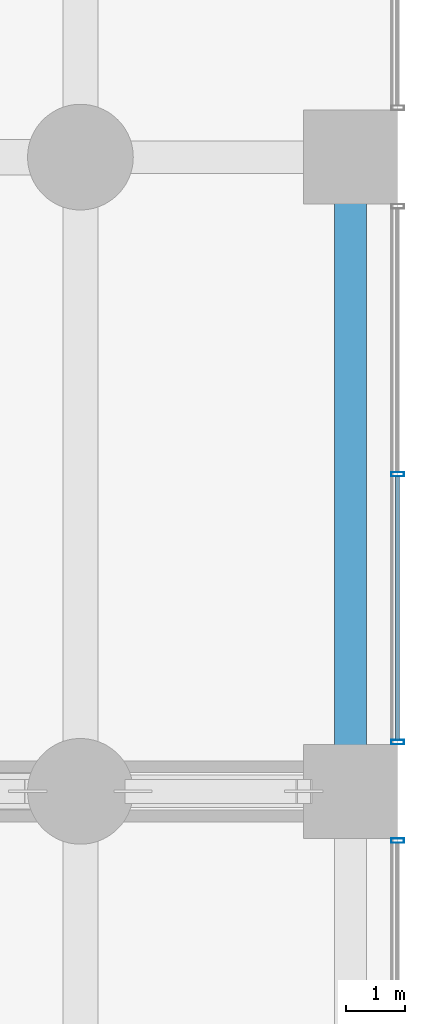
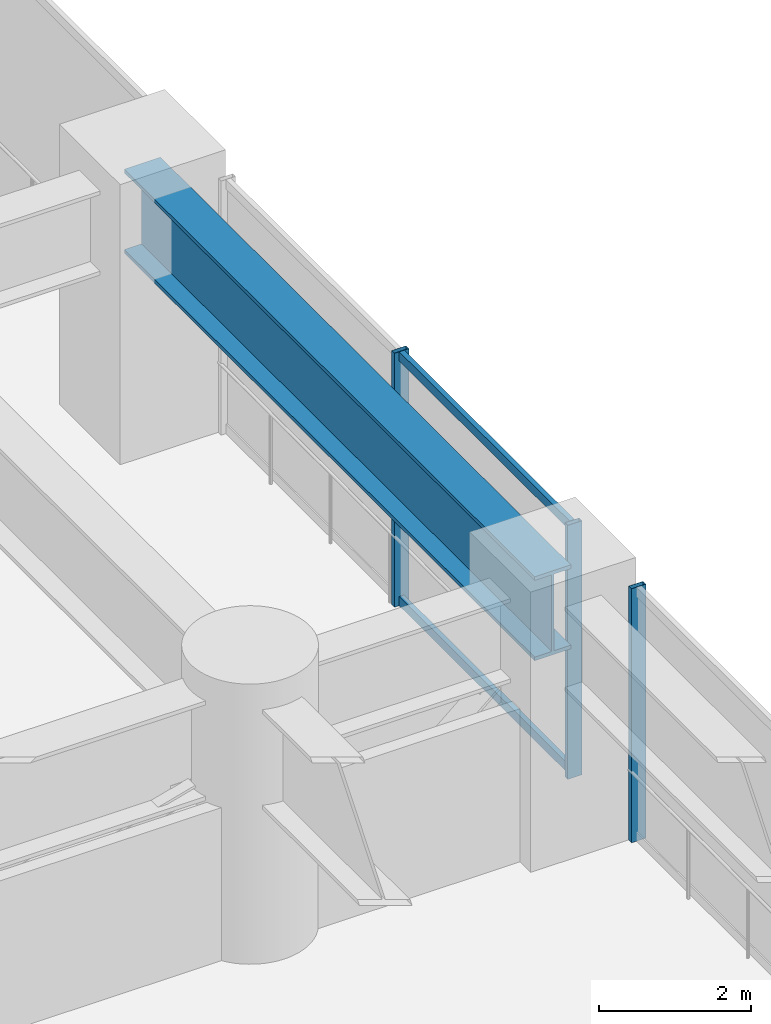
# One storey, part 22 of 37: 5 members, 1 beam, 2 elements without a shape of their own.
"""IFC4 building model written with IfcOpenShell, lengths in metres."""

from ifc_helpers import new_model, si_unit, direction, frame, origin, origin_2d, place, context, subcontext, project, spatial, hollow_rectangle, i_section, extrude, material, layer, layer_set, material_profile, profile_set, type_object, element, aggregate, save


model = new_model("IFC4")

# Units and contexts
model_context = context("Model", 3, precision=1e-05, world=origin(), true_north=direction((0.0, 1.0)))
body_context = subcontext(model_context, "Body", "Model", "MODEL_VIEW")
ifc_project = project(units=[si_unit("LENGTHUNIT", "METRE"), si_unit("AREAUNIT", "SQUARE_METRE"), si_unit("VOLUMEUNIT", "CUBIC_METRE"), si_unit("PLANEANGLEUNIT", "RADIAN"), si_unit("MASSUNIT", "GRAM", prefix="KILO")], contexts=[model_context])

# Site, building, storey
site_placement = place(None, origin())
site = spatial("IfcSite", under=ifc_project, at=site_placement, CompositionType="ELEMENT")
building_placement = place(site_placement, origin())
building = spatial("IfcBuilding", under=site, at=building_placement, Name="Surkhivell Harbour Commons", CompositionType="ELEMENT")
storey_placement = place(building_placement, frame((0.0, 0.0, 18.0)))
storey = spatial("IfcBuildingStorey", under=building, at=storey_placement, Name="L04", CompositionType="ELEMENT", Elevation=18.0)

# Beam
ifc_material_1 = material(Name="Steel S460", Category="steel")
ifc_material_profile_1 = material_profile(ifc_material_1, i_section(OverallWidth=0.550048828125, OverallDepth=1.35009765625, WebThickness=0.031982421875, FlangeThickness=0.06005859375, at=origin_2d()), Name="WPG1350x550x248")
ifc_profile_set_1 = profile_set([ifc_material_profile_1], Name="Steel S460")
beam_type = type_object("IfcBeamType", Name="BM-TRF-1350", PredefinedType="BEAM", material=ifc_profile_set_1)
beam_placement = place(storey_placement, frame((37.0, 0.0, 3.405029296875), z_axis=(0.0, 1.0, 0.0), x_axis=(-1.0, 0.0, 0.0)))
element("IfcBeam", 1, at=beam_placement, inside=storey, type_object=beam_type, Name="L04 Transfer Girder (37.0,0.0)", PredefinedType="BEAM", context=body_context, shape_type="SweptSolid", body=[
    extrude(i_section(OverallWidth=0.550048828125, OverallDepth=1.35009765625, WebThickness=0.031982421875, FlangeThickness=0.06005859375, at=origin_2d()), origin(), (0.0, 0.0, 1.0), 10.800048828125),
])

# Curtain wall, member
ifc_material_2 = material(Name="Anodised pale-metal aluminium and insulated glazing", Category="aluminium")
ifc_layer = layer(ifc_material_2, 0.239990234375)
ifc_layer_set = layer_set([ifc_layer], Name="Anodised pale-metal aluminium and insulated glazing")
curtain_wall_type = type_object("IfcCurtainWallType", Name="CW-SYS-POD", PredefinedType="NOTDEFINED", material=ifc_layer_set)
curtain_wall_1_placement = place(storey_placement, origin())
curtain_wall_1 = element("IfcCurtainWall", 2, at=curtain_wall_1_placement, inside=storey, type_object=curtain_wall_type, Name="L04 Curtain Wall CW-L04-E3", PredefinedType="NOTDEFINED")
ifc_material_3 = material(Name="Anodised pale-metal aluminium alloy 6063-T6", Category="aluminium")
ifc_material_profile_2 = material_profile(ifc_material_3, hollow_rectangle(XDim=0.074951171875, YDim=0.219970703125, WallThickness=0.00390625, at=origin_2d()), Name="ALU-MULL-75x220")
ifc_profile_set_2 = profile_set([ifc_material_profile_2], Name="Anodised pale-metal aluminium alloy 6063-T6")
member_type_1 = type_object("IfcMemberType", Name="CWM-220", PredefinedType="MULLION", material=ifc_profile_set_2)
member_1_placement = place(storey_placement, frame((37.800048828125, -0.839599609375, 0.0), z_axis=(0.0, 0.0, 1.0), x_axis=(0.0, -1.0, 0.0)))
member_1 = element("IfcMember", 3, at=member_1_placement, type_object=member_type_1, Name="CW-POD mullion 1", PredefinedType="MULLION", context=body_context, shape_type="SweptSolid", body=[
    extrude(hollow_rectangle(XDim=0.074951171875, YDim=0.219970703125, WallThickness=0.00390625, at=origin_2d()), origin(), (0.0, 0.0, 1.0), 4.080078125),
])
aggregate(curtain_wall_1, [member_1])

# Curtain wall, members
curtain_wall_2_placement = place(storey_placement, origin())
curtain_wall_2 = element("IfcCurtainWall", 4, at=curtain_wall_2_placement, inside=storey, type_object=curtain_wall_type, Name="L04 Curtain Wall CW-L04-E4", PredefinedType="NOTDEFINED")
member_2_placement = place(storey_placement, frame((37.800048828125, 5.39990234375, 0.0), z_axis=(0.0, 0.0, 1.0), x_axis=(0.0, -1.0, 0.0)))
member_2 = element("IfcMember", 5, at=member_2_placement, type_object=member_type_1, Name="CW-POD mullion 2", PredefinedType="MULLION", context=body_context, shape_type="SweptSolid", body=[
    extrude(hollow_rectangle(XDim=0.074951171875, YDim=0.219970703125, WallThickness=0.00390625, at=origin_2d()), origin(), (0.0, 0.0, 1.0), 4.080078125),
])
member_3_placement = place(storey_placement, frame((37.800048828125, 0.839599609375, 0.0), z_axis=(0.0, 0.0, 1.0), x_axis=(0.0, -1.0, 0.0)))
member_3 = element("IfcMember", 6, at=member_3_placement, type_object=member_type_1, Name="CW-POD mullion 3", PredefinedType="MULLION", context=body_context, shape_type="SweptSolid", body=[
    extrude(hollow_rectangle(XDim=0.074951171875, YDim=0.219970703125, WallThickness=0.00390625, at=origin_2d()), origin(), (0.0, 0.0, 1.0), 4.080078125),
])
ifc_material_profile_3 = material_profile(ifc_material_3, hollow_rectangle(XDim=0.074951171875, YDim=0.14990234375, WallThickness=0.00341796875, at=origin_2d()), Name="ALU-TRAN-75x150")
ifc_profile_set_3 = profile_set([ifc_material_profile_3], Name="Anodised pale-metal aluminium alloy 6063-T6")
member_type_2 = type_object("IfcMemberType", Name="CWT-150", PredefinedType="USERDEFINED", material=ifc_profile_set_3)
member_4_placement = place(storey_placement, frame((37.800048828125, 5.362548828125, 0.074951171875), z_axis=(0.0, -1.0, 0.0), x_axis=(1.0, 0.0, 0.0)))
member_4 = element("IfcMember", 7, at=member_4_placement, type_object=member_type_2, Name="CW-POD transom 2.1", ObjectType="TRANSOM", PredefinedType="USERDEFINED", context=body_context, shape_type="SweptSolid", body=[
    extrude(hollow_rectangle(XDim=0.074951171875, YDim=0.14990234375, WallThickness=0.00341796875, at=origin_2d()), origin(), (0.0, 0.0, 1.0), 4.485595703125),
])
member_5_placement = place(storey_placement, frame((37.800048828125, 5.362548828125, 4.0048828125), z_axis=(0.0, -1.0, 0.0), x_axis=(1.0, 0.0, 0.0)))
member_5 = element("IfcMember", 8, at=member_5_placement, type_object=member_type_2, Name="CW-POD transom 2.2", ObjectType="TRANSOM", PredefinedType="USERDEFINED", context=body_context, shape_type="SweptSolid", body=[
    extrude(hollow_rectangle(XDim=0.074951171875, YDim=0.14990234375, WallThickness=0.00341796875, at=origin_2d()), origin(), (0.0, 0.0, 1.0), 4.485595703125),
])
aggregate(curtain_wall_2, [member_2, member_3, member_4, member_5])

save(model, "model.ifc")
